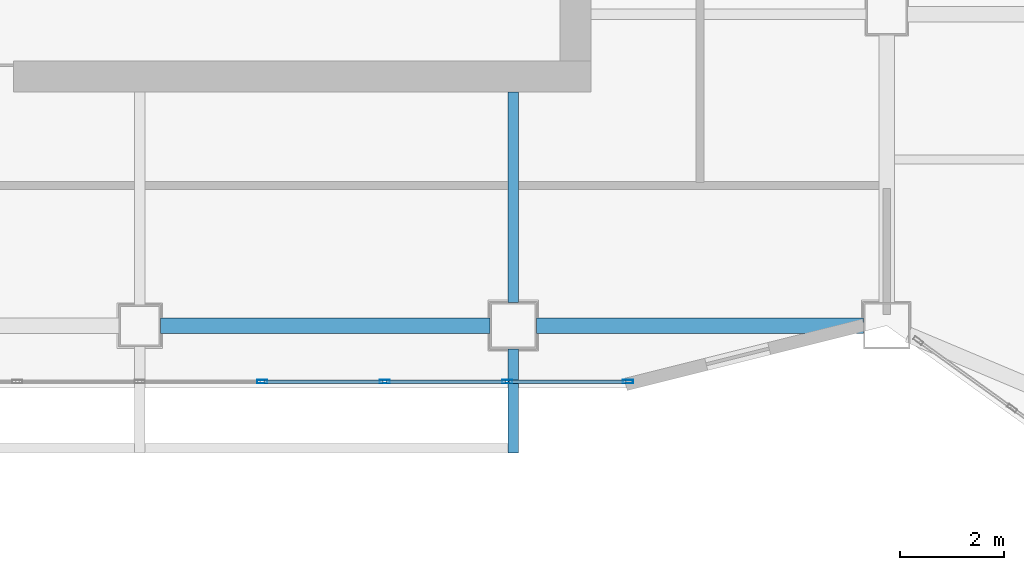
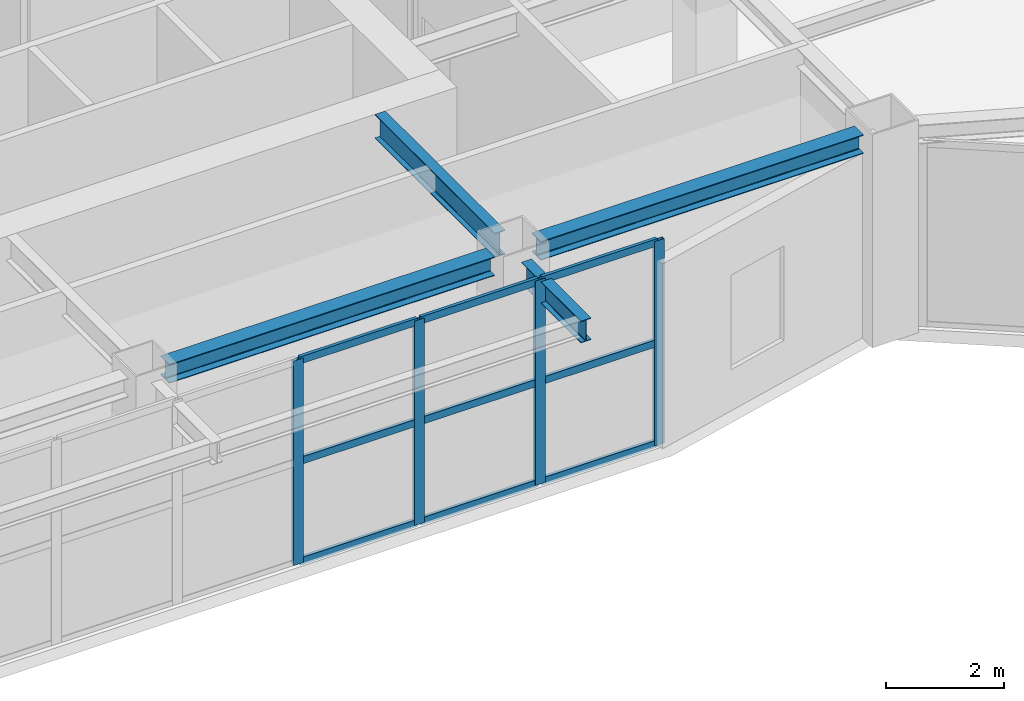
# One storey, part 4 of 16: 13 members, 4 beams, 1 element without a shape of its own.
"""IFC4 building model written with IfcOpenShell, lengths in metres."""

from ifc_helpers import new_model, si_unit, direction, frame, origin, origin_2d, place, context, subcontext, project, spatial, hollow_rectangle, i_section, extrude, material, layer, layer_set, material_profile, profile_set, type_object, element, aggregate, save


model = new_model("IFC4")

# Units and contexts
model_context = context("Model", 3, precision=1e-05, world=origin(), true_north=direction((0.0, 1.0)))
body_context = subcontext(model_context, "Body", "Model", "MODEL_VIEW")
ifc_project = project(units=[si_unit("LENGTHUNIT", "METRE"), si_unit("AREAUNIT", "SQUARE_METRE"), si_unit("VOLUMEUNIT", "CUBIC_METRE"), si_unit("PLANEANGLEUNIT", "RADIAN"), si_unit("MASSUNIT", "GRAM", prefix="KILO")], contexts=[model_context])

# Site, building, storey
site_placement = place(None, origin())
site = spatial("IfcSite", under=ifc_project, at=site_placement, CompositionType="ELEMENT")
building_placement = place(site_placement, origin())
building = spatial("IfcBuilding", under=site, at=building_placement, Name="Haolan Belvedere Tower", CompositionType="ELEMENT")
storey_placement = place(building_placement, frame((0.0, 0.0, 164.60009765625)))
storey = spatial("IfcBuildingStorey", under=building, at=storey_placement, Name="L41", CompositionType="ELEMENT", Elevation=164.60009765625)

# Beams
ifc_material_1 = material(Name="Steel Q355B", Category="steel")
ifc_material_profile_1 = material_profile(ifc_material_1, i_section(OverallWidth=0.300048828125, OverallDepth=0.389892578125, WebThickness=0.010009765625, FlangeThickness=0.01611328125, FilletRadius=0.02197265625, at=origin_2d()), Name="Steel Q355B")
ifc_profile_set_1 = profile_set([ifc_material_profile_1], Name="Steel Q355B")
beam_type_1 = type_object("IfcBeamType", Name="BM-HM390x300x10x16", PredefinedType="SPANDREL", material=ifc_profile_set_1)
beam_1_placement = place(storey_placement, frame((38.800048828125, 21.60009765625, 4.02490234375), z_axis=(1.0, 0.0, 0.0), x_axis=(0.0, 1.0, 0.0)))
element("IfcBeam", 1, at=beam_1_placement, inside=storey, type_object=beam_type_1, Name="L41 spandrel girder TC-T3-SM-MC-T3-S2", PredefinedType="SPANDREL", context=body_context, shape_type="SweptSolid", body=[
    extrude(i_section(OverallWidth=0.300048828125, OverallDepth=0.389892578125, WebThickness=0.010009765625, FlangeThickness=0.01611328125, FilletRadius=0.02197265625, at=origin_2d()), origin(), (0.0, 0.0, 1.0), 6.349853515625),
])
beam_2_placement = place(storey_placement, frame((46.050048828125, 21.60009765625, 4.02490234375), z_axis=(1.0, 0.0, 0.0), x_axis=(0.0, 1.0, 0.0)))
element("IfcBeam", 2, at=beam_2_placement, inside=storey, type_object=beam_type_1, Name="L41 spandrel girder MC-T3-S2-MC-T3-SE", PredefinedType="SPANDREL", context=body_context, shape_type="SweptSolid", body=[
    extrude(i_section(OverallWidth=0.300048828125, OverallDepth=0.389892578125, WebThickness=0.010009765625, FlangeThickness=0.01611328125, FilletRadius=0.02197265625, at=origin_2d()), origin(), (0.0, 0.0, 1.0), 6.300048828125),
])
ifc_material_profile_2 = material_profile(ifc_material_1, i_section(OverallWidth=0.199951171875, OverallDepth=0.449951171875, WebThickness=0.009033203125, FlangeThickness=0.013916015625, FilletRadius=0.01611328125, at=origin_2d()), Name="Steel Q355B")
ifc_profile_set_2 = profile_set([ifc_material_profile_2], Name="Steel Q355B")
beam_type_2 = type_object("IfcBeamType", Name="BM-HN450x200x9x14", PredefinedType="BEAM", material=ifc_profile_set_2)
beam_3_placement = place(storey_placement, frame((45.60009765625, 21.14990234375, 3.94482421875), z_axis=(0.0, -1.0, 0.0), x_axis=(1.0, 0.0, 0.0)))
element("IfcBeam", 3, at=beam_3_placement, inside=storey, type_object=beam_type_2, Name="L42 tree-balcony column cantilever MC-T3-S2", PredefinedType="BEAM", context=body_context, shape_type="SweptSolid", body=[
    extrude(i_section(OverallWidth=0.199951171875, OverallDepth=0.449951171875, WebThickness=0.009033203125, FlangeThickness=0.013916015625, FilletRadius=0.01611328125, at=origin_2d()), origin(), (0.0, 0.0, 1.0), 2.010009765625),
])
ifc_material_profile_3 = material_profile(ifc_material_1, i_section(OverallWidth=0.199951171875, OverallDepth=0.5, WebThickness=0.010009765625, FlangeThickness=0.01611328125, FilletRadius=0.02001953125, at=origin_2d()), Name="Steel Q355B")
ifc_profile_set_3 = profile_set([ifc_material_profile_3], Name="Steel Q355B")
beam_type_3 = type_object("IfcBeamType", Name="BM-HN500x200x10x16", PredefinedType="BEAM", material=ifc_profile_set_3)
beam_4_placement = place(storey_placement, frame((45.60009765625, 22.050048828125, 3.969970703125), z_axis=(0.0, 1.0, 0.0), x_axis=(-1.0, 0.0, 0.0)))
element("IfcBeam", 4, at=beam_4_placement, inside=storey, type_object=beam_type_3, Name="L41 core tie beam from MC-T3-S2", PredefinedType="BEAM", context=body_context, shape_type="SweptSolid", body=[
    extrude(i_section(OverallWidth=0.199951171875, OverallDepth=0.5, WebThickness=0.010009765625, FlangeThickness=0.01611328125, FilletRadius=0.02001953125, at=origin_2d()), origin(), (0.0, 0.0, 1.0), 4.050048828125),
])

# Curtain wall, members
ifc_material_2 = material(Name="Anodised champagne-silver aluminium 6063-T6 and Low-E glass", Category="aluminium")
ifc_layer = layer(ifc_material_2, 0.195068359375, Name="Anodised champagne-silver aluminium 6063-T6 and Low-E glass")
ifc_layer_set = layer_set([ifc_layer], Name="Anodised champagne-silver aluminium 6063-T6 and Low-E glass")
curtain_wall_type = type_object("IfcCurtainWallType", Name="CW-SYS-06", PredefinedType="NOTDEFINED", material=ifc_layer_set)
curtain_wall_placement = place(storey_placement, origin())
curtain_wall = element("IfcCurtainWall", 5, at=curtain_wall_placement, inside=storey, type_object=curtain_wall_type, Name="L41 CW-SYS-06 ribbon curtain wall 1.1", PredefinedType="NOTDEFINED")
ifc_material_3 = material(Name="Anodised aluminium 6063-T6", Category="aluminium")
ifc_material_profile_4 = material_profile(ifc_material_3, hollow_rectangle(XDim=0.070068359375, YDim=0.195068359375, WallThickness=0.00390625, at=origin_2d()), Name="Anodised aluminium 6063-T6")
ifc_profile_set_4 = profile_set([ifc_material_profile_4], Name="Anodised aluminium 6063-T6")
member_type_1 = type_object("IfcMemberType", Name="CW-SYS-06-MUL", PredefinedType="MULLION", material=ifc_profile_set_4)
member_1_placement = place(storey_placement, frame((40.76123046875, 20.52001953125, 0.0), z_axis=(0.0, 0.0, 1.0), x_axis=(0.0, 1.0, 0.0)))
member_1 = element("IfcMember", 6, at=member_1_placement, type_object=member_type_1, Name="CW-06 mullion 6", PredefinedType="MULLION", context=body_context, shape_type="SweptSolid", body=[
    extrude(hollow_rectangle(XDim=0.070068359375, YDim=0.195068359375, WallThickness=0.00390625, at=origin_2d()), origin(), (0.0, 0.0, 1.0), 4.219970703125),
])
member_2_placement = place(storey_placement, frame((43.12255859375, 20.52001953125, 0.0), z_axis=(0.0, 0.0, 1.0), x_axis=(0.0, 1.0, 0.0)))
member_2 = element("IfcMember", 7, at=member_2_placement, type_object=member_type_1, Name="CW-06 mullion 7", PredefinedType="MULLION", context=body_context, shape_type="SweptSolid", body=[
    extrude(hollow_rectangle(XDim=0.070068359375, YDim=0.195068359375, WallThickness=0.00390625, at=origin_2d()), origin(), (0.0, 0.0, 1.0), 4.219970703125),
])
member_3_placement = place(storey_placement, frame((45.48388671875, 20.52001953125, 0.0), z_axis=(0.0, 0.0, 1.0), x_axis=(0.0, 1.0, 0.0)))
member_3 = element("IfcMember", 8, at=member_3_placement, type_object=member_type_1, Name="CW-06 mullion 8", PredefinedType="MULLION", context=body_context, shape_type="SweptSolid", body=[
    extrude(hollow_rectangle(XDim=0.070068359375, YDim=0.195068359375, WallThickness=0.00390625, at=origin_2d()), origin(), (0.0, 0.0, 1.0), 4.219970703125),
])
member_4_placement = place(storey_placement, frame((47.810302734375, 20.52001953125, 0.0), z_axis=(0.0, 0.0, 1.0), x_axis=(0.0, 1.0, 0.0)))
member_4 = element("IfcMember", 9, at=member_4_placement, type_object=member_type_1, Name="CW-06 mullion 9", PredefinedType="MULLION", context=body_context, shape_type="SweptSolid", body=[
    extrude(hollow_rectangle(XDim=0.070068359375, YDim=0.195068359375, WallThickness=0.00390625, at=origin_2d()), origin(), (0.0, 0.0, 1.0), 4.219970703125),
])
ifc_material_profile_5 = material_profile(ifc_material_3, hollow_rectangle(XDim=0.06494140625, YDim=0.14990234375, WallThickness=0.00390625, at=origin_2d()), Name="Anodised aluminium 6063-T6")
ifc_profile_set_5 = profile_set([ifc_material_profile_5], Name="Anodised aluminium 6063-T6")
member_type_2 = type_object("IfcMemberType", Name="CW-SYS-06-TRN", PredefinedType="USERDEFINED", material=ifc_profile_set_5)
member_5_placement = place(storey_placement, frame((40.79638671875, 20.52001953125, 0.032470703125), z_axis=(1.0, 0.0, 0.0), x_axis=(0.0, 1.0, 0.0)))
member_5 = element("IfcMember", 10, at=member_5_placement, type_object=member_type_2, Name="CW-06 transom 6.1", ObjectType="TRANSOM", PredefinedType="USERDEFINED", context=body_context, shape_type="SweptSolid", body=[
    extrude(hollow_rectangle(XDim=0.06494140625, YDim=0.14990234375, WallThickness=0.00390625, at=origin_2d()), origin(), (0.0, 0.0, 1.0), 2.291259765625),
])
member_6_placement = place(storey_placement, frame((40.79638671875, 20.52001953125, 2.10986328125), z_axis=(1.0, 0.0, 0.0), x_axis=(0.0, 1.0, 0.0)))
member_6 = element("IfcMember", 11, at=member_6_placement, type_object=member_type_2, Name="CW-06 transom 6.2", ObjectType="TRANSOM", PredefinedType="USERDEFINED", context=body_context, shape_type="SweptSolid", body=[
    extrude(hollow_rectangle(XDim=0.06494140625, YDim=0.14990234375, WallThickness=0.00390625, at=origin_2d()), origin(), (0.0, 0.0, 1.0), 2.291259765625),
])
member_7_placement = place(storey_placement, frame((40.79638671875, 20.52001953125, 4.1875), z_axis=(1.0, 0.0, 0.0), x_axis=(0.0, 1.0, 0.0)))
member_7 = element("IfcMember", 12, at=member_7_placement, type_object=member_type_2, Name="CW-06 transom 6.3", ObjectType="TRANSOM", PredefinedType="USERDEFINED", context=body_context, shape_type="SweptSolid", body=[
    extrude(hollow_rectangle(XDim=0.06494140625, YDim=0.14990234375, WallThickness=0.00390625, at=origin_2d()), origin(), (0.0, 0.0, 1.0), 2.291259765625),
])
member_8_placement = place(storey_placement, frame((43.15771484375, 20.52001953125, 0.032470703125), z_axis=(1.0, 0.0, 0.0), x_axis=(0.0, 1.0, 0.0)))
member_8 = element("IfcMember", 13, at=member_8_placement, type_object=member_type_2, Name="CW-06 transom 7.1", ObjectType="TRANSOM", PredefinedType="USERDEFINED", context=body_context, shape_type="SweptSolid", body=[
    extrude(hollow_rectangle(XDim=0.06494140625, YDim=0.14990234375, WallThickness=0.00390625, at=origin_2d()), origin(), (0.0, 0.0, 1.0), 2.291259765625),
])
member_9_placement = place(storey_placement, frame((43.15771484375, 20.52001953125, 2.10986328125), z_axis=(1.0, 0.0, 0.0), x_axis=(0.0, 1.0, 0.0)))
member_9 = element("IfcMember", 14, at=member_9_placement, type_object=member_type_2, Name="CW-06 transom 7.2", ObjectType="TRANSOM", PredefinedType="USERDEFINED", context=body_context, shape_type="SweptSolid", body=[
    extrude(hollow_rectangle(XDim=0.06494140625, YDim=0.14990234375, WallThickness=0.00390625, at=origin_2d()), origin(), (0.0, 0.0, 1.0), 2.291259765625),
])
member_10_placement = place(storey_placement, frame((43.15771484375, 20.52001953125, 4.1875), z_axis=(1.0, 0.0, 0.0), x_axis=(0.0, 1.0, 0.0)))
member_10 = element("IfcMember", 15, at=member_10_placement, type_object=member_type_2, Name="CW-06 transom 7.3", ObjectType="TRANSOM", PredefinedType="USERDEFINED", context=body_context, shape_type="SweptSolid", body=[
    extrude(hollow_rectangle(XDim=0.06494140625, YDim=0.14990234375, WallThickness=0.00390625, at=origin_2d()), origin(), (0.0, 0.0, 1.0), 2.291259765625),
])
member_11_placement = place(storey_placement, frame((45.518798828125, 20.52001953125, 0.032470703125), z_axis=(1.0, 0.0, 0.0), x_axis=(0.0, 1.0, 0.0)))
member_11 = element("IfcMember", 16, at=member_11_placement, type_object=member_type_2, Name="CW-06 transom 8.1", ObjectType="TRANSOM", PredefinedType="USERDEFINED", context=body_context, shape_type="SweptSolid", body=[
    extrude(hollow_rectangle(XDim=0.06494140625, YDim=0.14990234375, WallThickness=0.00390625, at=origin_2d()), origin(), (0.0, 0.0, 1.0), 2.25634765625),
])
member_12_placement = place(storey_placement, frame((45.518798828125, 20.52001953125, 2.10986328125), z_axis=(1.0, 0.0, 0.0), x_axis=(0.0, 1.0, 0.0)))
member_12 = element("IfcMember", 17, at=member_12_placement, type_object=member_type_2, Name="CW-06 transom 8.2", ObjectType="TRANSOM", PredefinedType="USERDEFINED", context=body_context, shape_type="SweptSolid", body=[
    extrude(hollow_rectangle(XDim=0.06494140625, YDim=0.14990234375, WallThickness=0.00390625, at=origin_2d()), origin(), (0.0, 0.0, 1.0), 2.25634765625),
])
member_13_placement = place(storey_placement, frame((45.518798828125, 20.52001953125, 4.1875), z_axis=(1.0, 0.0, 0.0), x_axis=(0.0, 1.0, 0.0)))
member_13 = element("IfcMember", 18, at=member_13_placement, type_object=member_type_2, Name="CW-06 transom 8.3", ObjectType="TRANSOM", PredefinedType="USERDEFINED", context=body_context, shape_type="SweptSolid", body=[
    extrude(hollow_rectangle(XDim=0.06494140625, YDim=0.14990234375, WallThickness=0.00390625, at=origin_2d()), origin(), (0.0, 0.0, 1.0), 2.25634765625),
])
aggregate(curtain_wall, [member_1, member_2, member_3, member_4, member_5, member_6, member_7, member_8, member_9, member_10, member_11, member_12, member_13])

save(model, "model.ifc")
